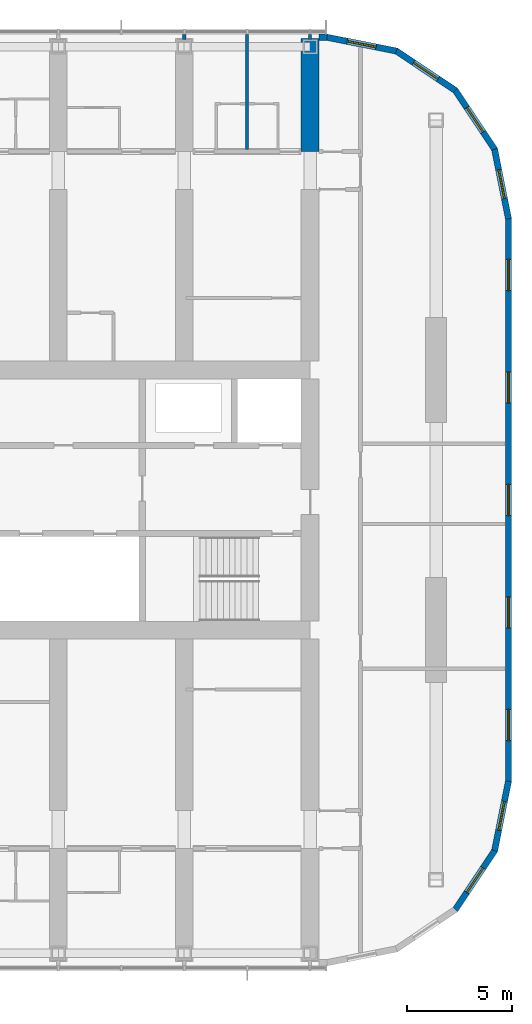
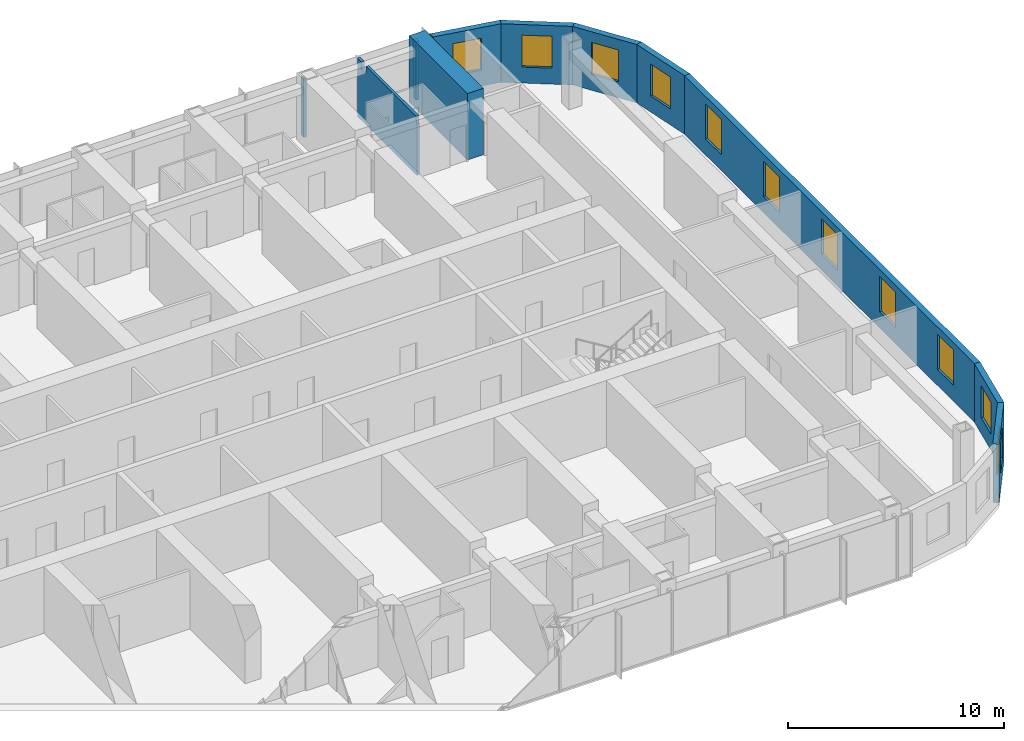
# One storey, part 17 of 22: 12 walls, 11 windows, 11 openings.
"""IFC4 building model written with IfcOpenShell, lengths in metres."""

from ifc_helpers import new_model, si_unit, direction, frame, frame_2d, origin, place, context, subcontext, project, spatial, polyline, rectangle, outline, extrude, material, layer, layer_set, type_object, element, fill, save


model = new_model("IFC4")

# Units and contexts
model_context = context("Model", 3, precision=1e-05, world=origin(), true_north=direction((0.0, 1.0)))
body_context = subcontext(model_context, "Body", "Model", "MODEL_VIEW")
ifc_project = project(units=[si_unit("LENGTHUNIT", "METRE"), si_unit("AREAUNIT", "SQUARE_METRE"), si_unit("VOLUMEUNIT", "CUBIC_METRE"), si_unit("PLANEANGLEUNIT", "RADIAN"), si_unit("MASSUNIT", "GRAM", prefix="KILO")], contexts=[model_context])

# Site, building, storey
site_placement = place(None, origin())
site = spatial("IfcSite", under=ifc_project, at=site_placement, CompositionType="ELEMENT")
building_placement = place(site_placement, origin())
building = spatial("IfcBuilding", under=site, at=building_placement, Name="Orbita Commons", CompositionType="ELEMENT")
storey_placement = place(building_placement, frame((0.0, 0.0, 159.85009765625)))
storey = spatial("IfcBuildingStorey", under=building, at=storey_placement, Name="L39", CompositionType="ELEMENT", Elevation=159.85009765625)

# Walls
ifc_material_1 = material(Name="Concrete C50/60", Category="concrete")
ifc_layer_1 = layer(ifc_material_1, 0.85009765625)
ifc_layer_set_1 = layer_set([ifc_layer_1], Name="Concrete C50/60")
wall_type_1 = type_object("IfcWallType", Name="Cross wall 850 C50/60", PredefinedType="SHEAR", material=ifc_layer_set_1)
wall_1_placement = place(storey_placement, frame((66.0, 48.60009765625, 0.0), z_axis=(0.0, 0.0, 1.0), x_axis=(0.0, 1.0, 0.0)))
element("IfcWall", 1, at=wall_1_placement, inside=storey, type_object=wall_type_1, Name="Cross wall 12 north outer L39", PredefinedType="SHEAR", context=body_context, shape_type="SweptSolid", body=[
    extrude(rectangle(XDim=5.39990234375, YDim=0.85009765625, at=frame_2d((2.699951171875, 0.0))), origin(), (0.0, 0.0, 1.0), 3.75),
])
ifc_material_2 = material(Name="Gypsum plasterboard on steel studs", Category="steel")
ifc_layer_2 = layer(ifc_material_2, 0.14990234375)
ifc_layer_set_2 = layer_set([ifc_layer_2], Name="Gypsum plasterboard on steel studs")
wall_type_2 = type_object("IfcWallType", Name="Partition 150 plasterboard", PredefinedType="PARTITIONING", material=ifc_layer_set_2)
for number, where, z_axis, x_axis, name in (
    (2, (60.0, 53.949951171875, 0.0), (0.0, 0.0, 1.0), (0.0, 1.0, 0.0), "Partition 150 plasterboard L39"),
    (3, (66.0, 53.949951171875, 0.0), (0.0, 0.0, 1.0), (0.0, 1.0, 0.0), "Partition 150 plasterboard L39"),
):
    element("IfcWall", number, at=place(storey_placement, frame(where, z_axis=z_axis, x_axis=x_axis)), inside=storey, type_object=wall_type_2, Name=name, PredefinedType="PARTITIONING", context=body_context, shape_type="SweptSolid", body=[
        extrude(rectangle(XDim=0.239990234375, YDim=0.14990234375, at=frame_2d((0.1201171875, 0.0))), origin(), (0.0, 0.0, 1.0), 3.2998046875),
    ])
ifc_material_3 = material(Name="Gypsum plasterboard on steel studs", Category="steel")
ifc_layer_3 = layer(ifc_material_3, 0.14990234375)
ifc_layer_set_3 = layer_set([ifc_layer_3], Name="Gypsum plasterboard on steel studs")
wall_type_3 = type_object("IfcWallType", Name="Party wall 150 plasterboard", PredefinedType="PARTITIONING", material=ifc_layer_set_3)
wall_2_placement = place(storey_placement, frame((63.0, 54.18994140625, 0.0), z_axis=(0.0, 0.0, 1.0), x_axis=(0.0, -1.0, 0.0)))
element("IfcWall", 4, at=wall_2_placement, inside=storey, type_object=wall_type_3, Name="Party wall 150 plasterboard L39", PredefinedType="PARTITIONING", context=body_context, shape_type="SweptSolid", body=[
    extrude(outline(polyline([(0.0, 0.0), (5.489990234375, 0.0), (5.489990234375, 2.89990234375), (5.44189453125, 2.89990234375), (5.43994140625, 3.2998046875), (0.7919921875, 3.2998046875), (0.7900390625, 2.89990234375), (0.39208984375, 2.89990234375), (0.389892578125, 3.2998046875), (0.0, 3.2998046875), (0.0, 0.0)])), frame((0.0, 0.074951171875, 0.0), z_axis=(0.0, -1.0, 0.0), x_axis=(1.0, 0.0, 0.0)), (0.0, 0.0, 1.0), 0.14990234375),
])

# Wall, openings, windows
ifc_material_4 = material(Name="Precast concrete C40/50, white board-marked finish", Category="concrete")
ifc_layer_4 = layer(ifc_material_4, 0.300048828125)
ifc_layer_set_4 = layer_set([ifc_layer_4], Name="Precast concrete C40/50, white board-marked finish")
wall_type_4 = type_object("IfcWallType", Name="Precast concrete end shield 300", PredefinedType="SOLIDWALL", material=ifc_layer_set_4)
wall_3_placement = place(storey_placement, frame((75.449951171875, 18.60009765625, 0.0), z_axis=(0.0, 0.0, 1.0), x_axis=(0.0, 1.0, 0.0)))
wall_3 = element("IfcWall", 5, at=wall_3_placement, inside=storey, type_object=wall_type_4, Name="End shield E L39", PredefinedType="SOLIDWALL", context=body_context, shape_type="SweptSolid", body=[
    extrude(outline(polyline([(-0.014892578125, -0.14990234375), (26.814697265625, -0.14990234375), (26.784912109375, 0.14990234375), (0.014892578125, 0.14990234375), (-0.014892578125, -0.14990234375)])), origin(), (0.0, 0.0, 1.0), 3.2998046875),
])
opening_1_placement = place(wall_3_placement, frame((1.929931640625, 0.0, 0.89990234375)))
opening_1 = element("IfcOpeningElement", 6, at=opening_1_placement, cuts=wall_3, Name="Opening W01", PredefinedType="OPENING", context=body_context, shape_type="SweptSolid", body=[
    extrude(rectangle(XDim=1.5, YDim=2.0, at=frame_2d((0.75, 1.0))), frame((0.0, 0.159912109375, 0.0), z_axis=(0.0, -1.0, 0.0), x_axis=(1.0, 0.0, 0.0)), (0.0, 0.0, 1.0), 0.320068359375),
])
opening_2_placement = place(wall_3_placement, frame((7.2900390625, 0.0, 0.89990234375)))
opening_2 = element("IfcOpeningElement", 7, at=opening_2_placement, cuts=wall_3, Name="Opening W01", PredefinedType="OPENING", context=body_context, shape_type="SweptSolid", body=[
    extrude(rectangle(XDim=1.5, YDim=2.0, at=frame_2d((0.75, 1.0))), frame((0.0, 0.159912109375, 0.0), z_axis=(0.0, -1.0, 0.0), x_axis=(1.0, 0.0, 0.0)), (0.0, 0.0, 1.0), 0.320068359375),
])
opening_3_placement = place(wall_3_placement, frame((12.64990234375, 0.0, 0.89990234375)))
opening_3 = element("IfcOpeningElement", 8, at=opening_3_placement, cuts=wall_3, Name="Opening W01", PredefinedType="OPENING", context=body_context, shape_type="SweptSolid", body=[
    extrude(rectangle(XDim=1.5, YDim=2.0, at=frame_2d((0.75, 1.0))), frame((0.0, 0.159912109375, 0.0), z_axis=(0.0, -1.0, 0.0), x_axis=(1.0, 0.0, 0.0)), (0.0, 0.0, 1.0), 0.320068359375),
])
opening_4_placement = place(wall_3_placement, frame((18.010009765625, 0.0, 0.89990234375)))
opening_4 = element("IfcOpeningElement", 9, at=opening_4_placement, cuts=wall_3, Name="Opening W01", PredefinedType="OPENING", context=body_context, shape_type="SweptSolid", body=[
    extrude(rectangle(XDim=1.5, YDim=2.0, at=frame_2d((0.75, 1.0))), frame((0.0, 0.159912109375, 0.0), z_axis=(0.0, -1.0, 0.0), x_axis=(1.0, 0.0, 0.0)), (0.0, 0.0, 1.0), 0.320068359375),
])
opening_5_placement = place(wall_3_placement, frame((23.3701171875, 0.0, 0.89990234375)))
opening_5 = element("IfcOpeningElement", 10, at=opening_5_placement, cuts=wall_3, Name="Opening W01", PredefinedType="OPENING", context=body_context, shape_type="SweptSolid", body=[
    extrude(rectangle(XDim=1.5, YDim=2.0, at=frame_2d((0.75, 1.0))), frame((0.0, 0.159912109375, 0.0), z_axis=(0.0, -1.0, 0.0), x_axis=(1.0, 0.0, 0.0)), (0.0, 0.0, 1.0), 0.320068359375),
])
ifc_material_5 = material(Name="Aluminium frame, clear double glazing", Category="aluminium")
window_type_1 = type_object("IfcWindowType", Name="Deep-set window 1500x2000", PartitioningType="SINGLE_PANEL", PredefinedType="WINDOW", material=ifc_material_5)
window_1_placement = place(opening_1_placement, origin())
window_1 = element("IfcWindow", 11, at=window_1_placement, inside=storey, type_object=window_type_1, Name="Window L39-E 1", OverallHeight=2.0, OverallWidth=1.5, PartitioningType="SINGLE_PANEL", PredefinedType="WINDOW", context=body_context, shape_type="SweptSolid", body=[
    extrude(rectangle(XDim=1.5, YDim=2.0, at=frame_2d((0.75, 1.0))), frame((0.0, 0.030029296875, 0.0), z_axis=(0.0, -1.0, 0.0), x_axis=(1.0, 0.0, 0.0)), (0.0, 0.0, 1.0), 0.06005859375),
])
fill(opening_1, window_1)
window_2_placement = place(opening_2_placement, origin())
window_2 = element("IfcWindow", 12, at=window_2_placement, inside=storey, type_object=window_type_1, Name="Window L39-E 2", OverallHeight=2.0, OverallWidth=1.5, PartitioningType="SINGLE_PANEL", PredefinedType="WINDOW", context=body_context, shape_type="SweptSolid", body=[
    extrude(rectangle(XDim=1.5, YDim=2.0, at=frame_2d((0.75, 1.0))), frame((0.0, 0.030029296875, 0.0), z_axis=(0.0, -1.0, 0.0), x_axis=(1.0, 0.0, 0.0)), (0.0, 0.0, 1.0), 0.06005859375),
])
fill(opening_2, window_2)
window_3_placement = place(opening_3_placement, origin())
window_3 = element("IfcWindow", 13, at=window_3_placement, inside=storey, type_object=window_type_1, Name="Window L39-E 3", OverallHeight=2.0, OverallWidth=1.5, PartitioningType="SINGLE_PANEL", PredefinedType="WINDOW", context=body_context, shape_type="SweptSolid", body=[
    extrude(rectangle(XDim=1.5, YDim=2.0, at=frame_2d((0.75, 1.0))), frame((0.0, 0.030029296875, 0.0), z_axis=(0.0, -1.0, 0.0), x_axis=(1.0, 0.0, 0.0)), (0.0, 0.0, 1.0), 0.06005859375),
])
fill(opening_3, window_3)
window_4_placement = place(opening_4_placement, origin())
window_4 = element("IfcWindow", 14, at=window_4_placement, inside=storey, type_object=window_type_1, Name="Window L39-E 4", OverallHeight=2.0, OverallWidth=1.5, PartitioningType="SINGLE_PANEL", PredefinedType="WINDOW", context=body_context, shape_type="SweptSolid", body=[
    extrude(rectangle(XDim=1.5, YDim=2.0, at=frame_2d((0.75, 1.0))), frame((0.0, 0.030029296875, 0.0), z_axis=(0.0, -1.0, 0.0), x_axis=(1.0, 0.0, 0.0)), (0.0, 0.0, 1.0), 0.06005859375),
])
fill(opening_4, window_4)
window_5_placement = place(opening_5_placement, origin())
window_5 = element("IfcWindow", 15, at=window_5_placement, inside=storey, type_object=window_type_1, Name="Window L39-E 5", OverallHeight=2.0, OverallWidth=1.5, PartitioningType="SINGLE_PANEL", PredefinedType="WINDOW", context=body_context, shape_type="SweptSolid", body=[
    extrude(rectangle(XDim=1.5, YDim=2.0, at=frame_2d((0.75, 1.0))), frame((0.0, 0.030029296875, 0.0), z_axis=(0.0, -1.0, 0.0), x_axis=(1.0, 0.0, 0.0)), (0.0, 0.0, 1.0), 0.06005859375),
])
fill(opening_5, window_5)

# Wall, opening, window
wall_4_placement = place(storey_placement, frame((72.91650390625, 12.4833984375, 0.0), z_axis=(0.0, 0.0, 1.0), x_axis=(0.555534554399, 0.831493450887, 0.0)))
wall_4 = element("IfcWall", 16, at=wall_4_placement, inside=storey, type_object=wall_type_4, Name="End shield SE chord 3 L39", PredefinedType="SOLIDWALL", context=body_context, shape_type="SweptSolid", body=[
    extrude(outline(polyline([(-0.02978515625, -0.14990234375), (3.405029296875, -0.14990234375), (3.345458984375, 0.14990234375), (0.02978515625, 0.14990234375), (-0.02978515625, -0.14990234375)])), origin(), (0.0, 0.0, 1.0), 3.2998046875),
])
opening_6_placement = place(wall_4_placement, frame((0.987548828125, 0.0, 0.89990234375)))
opening_6 = element("IfcOpeningElement", 17, at=opening_6_placement, cuts=wall_4, Name="Opening W02", PredefinedType="OPENING", context=body_context, shape_type="SweptSolid", body=[
    extrude(rectangle(XDim=1.39990234375, YDim=1.800048828125, at=frame_2d((0.699951171875, 0.89990234375))), frame((0.0, 0.159912109375, 0.0), z_axis=(0.0, -1.0, 0.0), x_axis=(1.0, 0.0, 0.0)), (0.0, 0.0, 1.0), 0.320068359375),
])
ifc_material_6 = material(Name="Aluminium frame, clear double glazing", Category="aluminium")
window_type_2 = type_object("IfcWindowType", Name="Deep-set window 1400x1800", PartitioningType="SINGLE_PANEL", PredefinedType="WINDOW", material=ifc_material_6)
window_6_placement = place(opening_6_placement, origin())
window_6 = element("IfcWindow", 18, at=window_6_placement, inside=storey, type_object=window_type_2, Name="Window L39-SE2", OverallHeight=1.800048828125, OverallWidth=1.39990234375, PartitioningType="SINGLE_PANEL", PredefinedType="WINDOW", context=body_context, shape_type="SweptSolid", body=[
    extrude(rectangle(XDim=1.39990234375, YDim=1.800048828125, at=frame_2d((0.699951171875, 0.89990234375))), frame((0.0, 0.030029296875, 0.0), z_axis=(0.0, -1.0, 0.0), x_axis=(1.0, 0.0, 0.0)), (0.0, 0.0, 1.0), 0.06005859375),
])
fill(opening_6, window_6)

wall_5_placement = place(storey_placement, frame((74.79150390625, 15.289794921875, 0.0), z_axis=(0.0, 0.0, 1.0), x_axis=(0.19508664885, 0.980786011034, 0.0)))
wall_5 = element("IfcWall", 19, at=wall_5_placement, inside=storey, type_object=wall_type_4, Name="End shield SE chord 4 L39", PredefinedType="SOLIDWALL", context=body_context, shape_type="SweptSolid", body=[
    extrude(outline(polyline([(-0.02978515625, -0.14990234375), (3.39013671875, -0.14990234375), (3.3603515625, 0.14990234375), (0.02978515625, 0.14990234375), (-0.02978515625, -0.14990234375)])), origin(), (0.0, 0.0, 1.0), 3.2998046875),
])
opening_7_placement = place(wall_5_placement, frame((0.987548828125, 0.0, 0.89990234375)))
opening_7 = element("IfcOpeningElement", 20, at=opening_7_placement, cuts=wall_5, Name="Opening W02", PredefinedType="OPENING", context=body_context, shape_type="SweptSolid", body=[
    extrude(rectangle(XDim=1.39990234375, YDim=1.800048828125, at=frame_2d((0.699951171875, 0.89990234375))), frame((0.0, 0.159912109375, 0.0), z_axis=(0.0, -1.0, 0.0), x_axis=(1.0, 0.0, 0.0)), (0.0, 0.0, 1.0), 0.320068359375),
])
window_7_placement = place(opening_7_placement, origin())
window_7 = element("IfcWindow", 21, at=window_7_placement, inside=storey, type_object=window_type_2, Name="Window L39-SE3", OverallHeight=1.800048828125, OverallWidth=1.39990234375, PartitioningType="SINGLE_PANEL", PredefinedType="WINDOW", context=body_context, shape_type="SweptSolid", body=[
    extrude(rectangle(XDim=1.39990234375, YDim=1.800048828125, at=frame_2d((0.699951171875, 0.89990234375))), frame((0.0, 0.030029296875, 0.0), z_axis=(0.0, -1.0, 0.0), x_axis=(1.0, 0.0, 0.0)), (0.0, 0.0, 1.0), 0.06005859375),
])
fill(opening_7, window_7)

wall_6_placement = place(storey_placement, frame((75.449951171875, 45.39990234375, 0.0), z_axis=(0.0, 0.0, 1.0), x_axis=(-0.19508664885, 0.980786011034, 0.0)))
wall_6 = element("IfcWall", 22, at=wall_6_placement, inside=storey, type_object=wall_type_4, Name="End shield NE chord 1 L39", PredefinedType="SOLIDWALL", context=body_context, shape_type="SweptSolid", body=[
    extrude(outline(polyline([(-0.014892578125, -0.14990234375), (3.405029296875, -0.14990234375), (3.345458984375, 0.14990234375), (0.014892578125, 0.14990234375), (-0.014892578125, -0.14990234375)])), origin(), (0.0, 0.0, 1.0), 3.2998046875),
])
opening_8_placement = place(wall_6_placement, frame((0.987548828125, 0.0, 0.89990234375)))
opening_8 = element("IfcOpeningElement", 23, at=opening_8_placement, cuts=wall_6, Name="Opening W02", PredefinedType="OPENING", context=body_context, shape_type="SweptSolid", body=[
    extrude(rectangle(XDim=1.39990234375, YDim=1.800048828125, at=frame_2d((0.699951171875, 0.89990234375))), frame((0.0, 0.159912109375, 0.0), z_axis=(0.0, -1.0, 0.0), x_axis=(1.0, 0.0, 0.0)), (0.0, 0.0, 1.0), 0.320068359375),
])
window_8_placement = place(opening_8_placement, origin())
window_8 = element("IfcWindow", 24, at=window_8_placement, inside=storey, type_object=window_type_2, Name="Window L39-NE0", OverallHeight=1.800048828125, OverallWidth=1.39990234375, PartitioningType="SINGLE_PANEL", PredefinedType="WINDOW", context=body_context, shape_type="SweptSolid", body=[
    extrude(rectangle(XDim=1.39990234375, YDim=1.800048828125, at=frame_2d((0.699951171875, 0.89990234375))), frame((0.0, 0.030029296875, 0.0), z_axis=(0.0, -1.0, 0.0), x_axis=(1.0, 0.0, 0.0)), (0.0, 0.0, 1.0), 0.06005859375),
])
fill(opening_8, window_8)

wall_7_placement = place(storey_placement, frame((74.79150390625, 48.710205078125, 0.0), z_axis=(0.0, 0.0, 1.0), x_axis=(-0.555534554399, 0.831493450887, 0.0)))
wall_7 = element("IfcWall", 25, at=wall_7_placement, inside=storey, type_object=wall_type_4, Name="End shield NE chord 2 L39", PredefinedType="SOLIDWALL", context=body_context, shape_type="SweptSolid", body=[
    extrude(outline(polyline([(-0.02978515625, -0.14990234375), (3.405029296875, -0.14990234375), (3.345458984375, 0.14990234375), (0.02978515625, 0.14990234375), (-0.02978515625, -0.14990234375)])), origin(), (0.0, 0.0, 1.0), 3.2998046875),
])
opening_9_placement = place(wall_7_placement, frame((0.987548828125, 0.0, 0.89990234375)))
opening_9 = element("IfcOpeningElement", 26, at=opening_9_placement, cuts=wall_7, Name="Opening W02", PredefinedType="OPENING", context=body_context, shape_type="SweptSolid", body=[
    extrude(rectangle(XDim=1.39990234375, YDim=1.800048828125, at=frame_2d((0.699951171875, 0.89990234375))), frame((0.0, 0.159912109375, 0.0), z_axis=(0.0, -1.0, 0.0), x_axis=(1.0, 0.0, 0.0)), (0.0, 0.0, 1.0), 0.320068359375),
])
window_9_placement = place(opening_9_placement, origin())
window_9 = element("IfcWindow", 27, at=window_9_placement, inside=storey, type_object=window_type_2, Name="Window L39-NE1", OverallHeight=1.800048828125, OverallWidth=1.39990234375, PartitioningType="SINGLE_PANEL", PredefinedType="WINDOW", context=body_context, shape_type="SweptSolid", body=[
    extrude(rectangle(XDim=1.39990234375, YDim=1.800048828125, at=frame_2d((0.699951171875, 0.89990234375))), frame((0.0, 0.030029296875, 0.0), z_axis=(0.0, -1.0, 0.0), x_axis=(1.0, 0.0, 0.0)), (0.0, 0.0, 1.0), 0.06005859375),
])
fill(opening_9, window_9)

wall_8_placement = place(storey_placement, frame((72.91650390625, 51.5166015625, 0.0), z_axis=(0.0, 0.0, 1.0), x_axis=(-0.831493450887, 0.555534554399, 0.0)))
wall_8 = element("IfcWall", 28, at=wall_8_placement, inside=storey, type_object=wall_type_4, Name="End shield NE chord 3 L39", PredefinedType="SOLIDWALL", context=body_context, shape_type="SweptSolid", body=[
    extrude(outline(polyline([(-0.02978515625, -0.14990234375), (3.405029296875, -0.14990234375), (3.345458984375, 0.14990234375), (0.02978515625, 0.14990234375), (-0.02978515625, -0.14990234375)])), origin(), (0.0, 0.0, 1.0), 3.2998046875),
])
opening_10_placement = place(wall_8_placement, frame((0.987548828125, 0.0, 0.89990234375)))
opening_10 = element("IfcOpeningElement", 29, at=opening_10_placement, cuts=wall_8, Name="Opening W02", PredefinedType="OPENING", context=body_context, shape_type="SweptSolid", body=[
    extrude(rectangle(XDim=1.39990234375, YDim=1.800048828125, at=frame_2d((0.699951171875, 0.89990234375))), frame((0.0, 0.159912109375, 0.0), z_axis=(0.0, -1.0, 0.0), x_axis=(1.0, 0.0, 0.0)), (0.0, 0.0, 1.0), 0.320068359375),
])
window_10_placement = place(opening_10_placement, origin())
window_10 = element("IfcWindow", 30, at=window_10_placement, inside=storey, type_object=window_type_2, Name="Window L39-NE2", OverallHeight=1.800048828125, OverallWidth=1.39990234375, PartitioningType="SINGLE_PANEL", PredefinedType="WINDOW", context=body_context, shape_type="SweptSolid", body=[
    extrude(rectangle(XDim=1.39990234375, YDim=1.800048828125, at=frame_2d((0.699951171875, 0.89990234375))), frame((0.0, 0.030029296875, 0.0), z_axis=(0.0, -1.0, 0.0), x_axis=(1.0, 0.0, 0.0)), (0.0, 0.0, 1.0), 0.06005859375),
])
fill(opening_10, window_10)

wall_9_placement = place(storey_placement, frame((70.110107421875, 53.3916015625, 0.0), z_axis=(0.0, 0.0, 1.0), x_axis=(-0.98078325777, 0.195100490205, 0.0)))
wall_9 = element("IfcWall", 31, at=wall_9_placement, inside=storey, type_object=wall_type_4, Name="End shield NE chord 4 L39", PredefinedType="SOLIDWALL", context=body_context, shape_type="SweptSolid", body=[
    extrude(outline(polyline([(-0.02978515625, -0.14990234375), (3.40478515625, -0.14990234375), (3.34521484375, 0.14990234375), (0.02978515625, 0.14990234375), (-0.02978515625, -0.14990234375)])), origin(), (0.0, 0.0, 1.0), 3.2998046875),
])
opening_11_placement = place(wall_9_placement, frame((0.987548828125, 0.0, 0.89990234375)))
opening_11 = element("IfcOpeningElement", 32, at=opening_11_placement, cuts=wall_9, Name="Opening W02", PredefinedType="OPENING", context=body_context, shape_type="SweptSolid", body=[
    extrude(rectangle(XDim=1.39990234375, YDim=1.800048828125, at=frame_2d((0.699951171875, 0.89990234375))), frame((0.0, 0.159912109375, 0.0), z_axis=(0.0, -1.0, 0.0), x_axis=(1.0, 0.0, 0.0)), (0.0, 0.0, 1.0), 0.320068359375),
])
window_11_placement = place(opening_11_placement, origin())
window_11 = element("IfcWindow", 33, at=window_11_placement, inside=storey, type_object=window_type_2, Name="Window L39-NE3", OverallHeight=1.800048828125, OverallWidth=1.39990234375, PartitioningType="SINGLE_PANEL", PredefinedType="WINDOW", context=body_context, shape_type="SweptSolid", body=[
    extrude(rectangle(XDim=1.39990234375, YDim=1.800048828125, at=frame_2d((0.699951171875, 0.89990234375))), frame((0.0, 0.030029296875, 0.0), z_axis=(0.0, -1.0, 0.0), x_axis=(1.0, 0.0, 0.0)), (0.0, 0.0, 1.0), 0.06005859375),
])
fill(opening_11, window_11)

# Wall
wall_10_placement = place(storey_placement, frame((66.800048828125, 54.050048828125, 0.0), z_axis=(0.0, 0.0, 1.0), x_axis=(-1.0, 0.0, 0.0)))
element("IfcWall", 34, at=wall_10_placement, inside=storey, type_object=wall_type_4, Name="End shield NE closer L39", PredefinedType="SOLIDWALL", context=body_context, shape_type="SweptSolid", body=[
    extrude(rectangle(XDim=0.375, YDim=0.300048828125, at=frame_2d((0.1875, 0.0))), origin(), (0.0, 0.0, 1.0), 3.2998046875),
])

save(model, "model.ifc")
